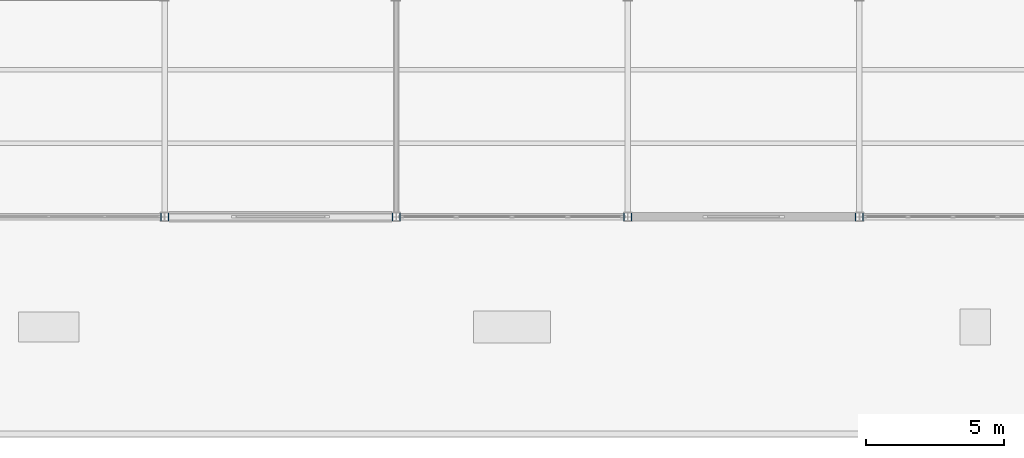
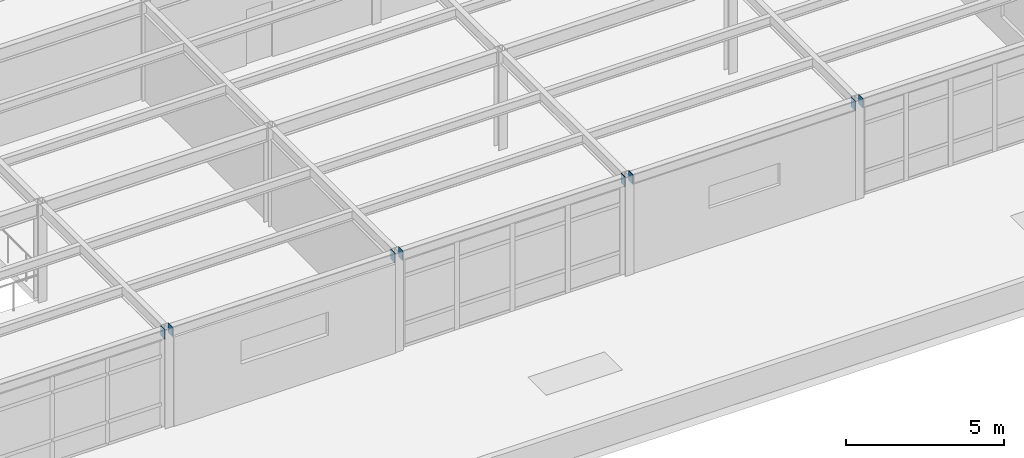
# One storey, part 94 of 138: 8 discrete accessories.
"""IFC4 building model written with IfcOpenShell, lengths in metres."""

from ifc_helpers import new_model, si_unit, direction, frame, origin, origin_2d, place, context, subcontext, project, spatial, rectangle, extrude, material, layer, layer_set, type_object, element, save


model = new_model("IFC4")

# Units and contexts
model_context = context("Model", 3, precision=1e-05, world=origin(), true_north=direction((0.0, 1.0)))
body_context = subcontext(model_context, "Body", "Model", "MODEL_VIEW")
ifc_project = project(units=[si_unit("LENGTHUNIT", "METRE"), si_unit("AREAUNIT", "SQUARE_METRE"), si_unit("VOLUMEUNIT", "CUBIC_METRE"), si_unit("PLANEANGLEUNIT", "RADIAN"), si_unit("MASSUNIT", "GRAM", prefix="KILO")], contexts=[model_context])

# Site, building, storey
site_placement = place(None, origin())
site = spatial("IfcSite", under=ifc_project, at=site_placement, CompositionType="ELEMENT")
building_placement = place(site_placement, origin())
building = spatial("IfcBuilding", under=site, at=building_placement, Name="Kranzveld Transit Interchange", CompositionType="ELEMENT")
storey_placement = place(building_placement, frame((0.0, 0.0, 5.43994140625)))
storey = spatial("IfcBuildingStorey", under=building, at=storey_placement, Name="L01", CompositionType="ELEMENT", Elevation=5.43994140625)

# Discrete accessories
ifc_material = material(Name="Steel S355JR", Category="steel")
ifc_layer = layer(ifc_material, 0.02001953125)
ifc_layer_set = layer_set([ifc_layer], Name="Steel S355JR")
discrete_accessory_type = type_object("IfcDiscreteAccessoryType", Name="Hollow Section End Cap Bracket 20 S355JR", PredefinedType="BRACKET", material=ifc_layer_set)
discrete_accessory_placement = place(storey_placement, frame((100.6513671875, 8.0, 3.625), z_axis=(1.0, 0.0, 0.0), x_axis=(0.0, 1.0, 0.0)))
element("IfcDiscreteAccessory", 1, at=discrete_accessory_placement, inside=storey, type_object=discrete_accessory_type, Name="Hollow Section End Cap SP-RHS350-2", PredefinedType="BRACKET", context=body_context, shape_type="SweptSolid", body=[
    extrude(rectangle(XDim=0.27392578125, YDim=0.3740234375, at=origin_2d()), origin(), (0.0, 0.0, 1.0), 0.02001953125),
])
for number, where, z_axis, x_axis, name in (
    (2, (100.948486328125, 8.0, 3.625), (-1.0, 0.0, 0.0), (0.0, -1.0, 0.0), "Hollow Section End Cap SP-RHS350-1"),
    (3, (109.051513671875, 8.0, 3.625), (1.0, 0.0, 0.0), (0.0, 1.0, 0.0), "Hollow Section End Cap SP-RHS350-2"),
):
    element("IfcDiscreteAccessory", number, at=place(storey_placement, frame(where, z_axis=z_axis, x_axis=x_axis)), inside=storey, type_object=discrete_accessory_type, Name=name, PredefinedType="BRACKET", context=body_context, shape_type="SweptSolid", body=[
        extrude(rectangle(XDim=0.27392578125, YDim=0.3740234375, at=origin_2d()), origin(), (0.0, 0.0, 1.0), 0.019775390625),
    ])
for number, where, z_axis, x_axis, name in (
    (4, (109.3486328125, 8.0, 3.625), (-1.0, 0.0, 0.0), (0.0, -1.0, 0.0), "Hollow Section End Cap SP-RHS350-1"),
    (5, (117.451416015625, 8.0, 3.625), (1.0, 0.0, 0.0), (0.0, 1.0, 0.0), "Hollow Section End Cap SP-RHS350-2"),
    (6, (117.74853515625, 8.0, 3.625), (-1.0, 0.0, 0.0), (0.0, -1.0, 0.0), "Hollow Section End Cap SP-RHS350-1"),
    (7, (125.851318359375, 8.0, 3.625), (1.0, 0.0, 0.0), (0.0, 1.0, 0.0), "Hollow Section End Cap SP-RHS350-2"),
    (8, (126.148681640625, 8.0, 3.625), (-1.0, 0.0, 0.0), (0.0, -1.0, 0.0), "Hollow Section End Cap SP-RHS350-1"),
):
    element("IfcDiscreteAccessory", number, at=place(storey_placement, frame(where, z_axis=z_axis, x_axis=x_axis)), inside=storey, type_object=discrete_accessory_type, Name=name, PredefinedType="BRACKET", context=body_context, shape_type="SweptSolid", body=[
        extrude(rectangle(XDim=0.27392578125, YDim=0.3740234375, at=origin_2d()), origin(), (0.0, 0.0, 1.0), 0.02001953125),
    ])

save(model, "model.ifc")
